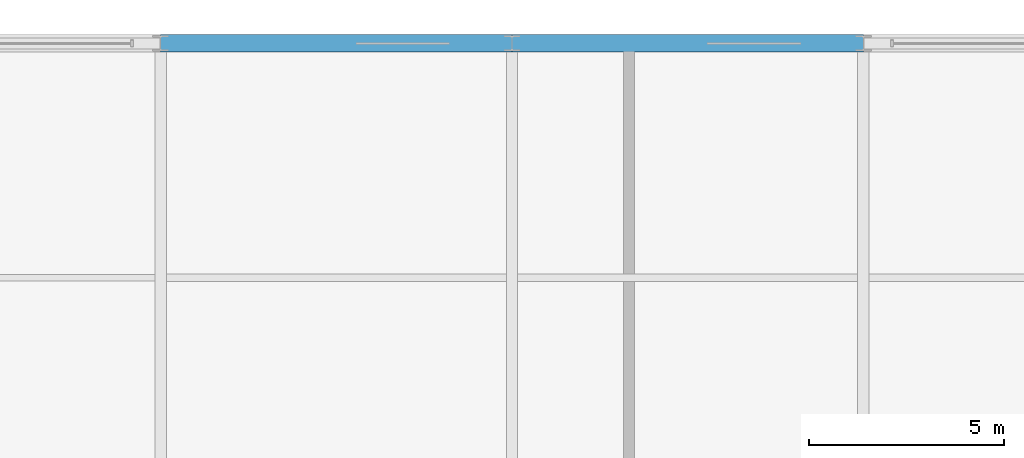
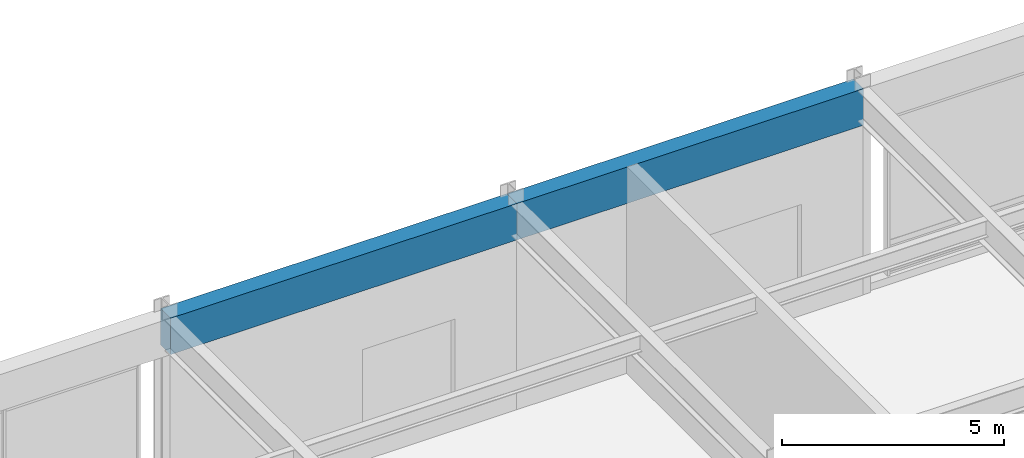
# One storey, part 65 of 105: 2 beams.
"""IFC4 building model written with IfcOpenShell, lengths in metres."""

from ifc_helpers import new_model, si_unit, direction, frame, origin, origin_2d, place, context, subcontext, project, spatial, rectangle, extrude, material, material_profile, profile_set, type_object, element, save


model = new_model("IFC4")

# Units and contexts
model_context = context("Model", 3, precision=1e-05, world=origin(), true_north=direction((0.0, 1.0)))
body_context = subcontext(model_context, "Body", "Model", "MODEL_VIEW")
ifc_project = project(units=[si_unit("LENGTHUNIT", "METRE"), si_unit("AREAUNIT", "SQUARE_METRE"), si_unit("VOLUMEUNIT", "CUBIC_METRE"), si_unit("PLANEANGLEUNIT", "RADIAN"), si_unit("MASSUNIT", "GRAM", prefix="KILO")], contexts=[model_context])

# Site, building, storey
site_placement = place(None, origin())
site = spatial("IfcSite", under=ifc_project, at=site_placement, CompositionType="ELEMENT")
building_placement = place(site_placement, origin())
building = spatial("IfcBuilding", under=site, at=building_placement, Name="Kaldorvane Square Convention Centre", CompositionType="ELEMENT")
storey_placement = place(building_placement, frame((0.0, 0.0, 6.0)))
storey = spatial("IfcBuildingStorey", under=building, at=storey_placement, Name="L01", CompositionType="ELEMENT", Elevation=6.0)

# Beams
ifc_material = material(Name="Concrete f'c = 42 MPa (Normalweight)", Category="concrete")
ifc_material_profile = material_profile(ifc_material, rectangle(XDim=0.4499969482421875, YDim=1.0, at=origin_2d()), Name="RCSP1000X450")
ifc_profile_set = profile_set([ifc_material_profile], Name="Concrete f'c = 42 MPa (Normalweight)")
beam_type = type_object("IfcBeamType", Name="BM-SP-RC1000", PredefinedType="SPANDREL", material=ifc_profile_set)
for number, where, z_axis, x_axis, name in (
    (1, (138.0, 117.0, 5.175994873046875), (1.0, 0.0, 0.0), (0.0, 1.0, 0.0), "Perimeter Spandrel (L01)"),
    (2, (147.0, 117.0, 5.175994873046875), (1.0, 0.0, 0.0), (0.0, 1.0, 0.0), "Perimeter Spandrel (L01)"),
):
    element("IfcBeam", number, at=place(storey_placement, frame(where, z_axis=z_axis, x_axis=x_axis)), inside=storey, type_object=beam_type, Name=name, PredefinedType="SPANDREL", context=body_context, shape_type="SweptSolid", body=[
        extrude(rectangle(XDim=0.4499969482421875, YDim=1.0, at=origin_2d()), origin(), (0.0, 0.0, 1.0), 9.0),
    ])

save(model, "model.ifc")
